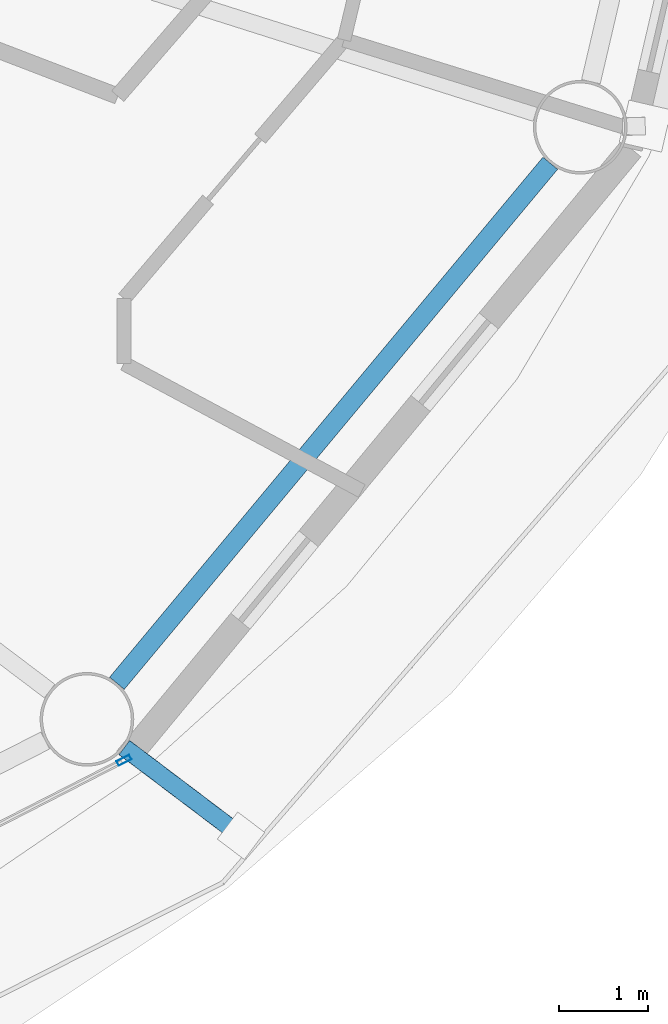
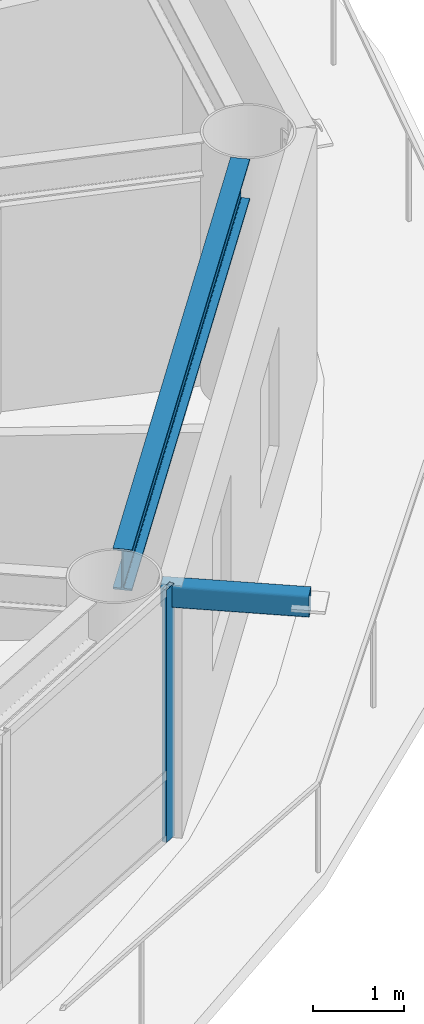
# One storey, part 7 of 27: 2 members, 1 beam, 1 element without a shape of its own.
"""IFC4 building model written with IfcOpenShell, lengths in metres."""

from ifc_helpers import new_model, si_unit, direction, frame, origin, origin_2d, place, context, subcontext, project, spatial, hollow_rectangle, i_section, extrude, material, layer, layer_set, material_profile, profile_set, type_object, element, aggregate, save


model = new_model("IFC4")

# Units and contexts
model_context = context("Model", 3, precision=1e-05, world=origin(), true_north=direction((0.0, 1.0)))
body_context = subcontext(model_context, "Body", "Model", "MODEL_VIEW")
ifc_project = project(units=[si_unit("LENGTHUNIT", "METRE"), si_unit("AREAUNIT", "SQUARE_METRE"), si_unit("VOLUMEUNIT", "CUBIC_METRE"), si_unit("PLANEANGLEUNIT", "RADIAN"), si_unit("MASSUNIT", "GRAM", prefix="KILO")], contexts=[model_context])

# Site, building, storey
site_placement = place(None, origin())
site = spatial("IfcSite", under=ifc_project, at=site_placement, CompositionType="ELEMENT")
building_placement = place(site_placement, origin())
building = spatial("IfcBuilding", under=site, at=building_placement, Name="Sarneth Arch Tower", CompositionType="ELEMENT")
storey_placement = place(building_placement, frame((0.0, 0.0, 157.800048828125)))
storey = spatial("IfcBuildingStorey", under=building, at=storey_placement, Name="L39", CompositionType="ELEMENT", Elevation=157.800048828125)

# Beam
ifc_material_1 = material(Name="Steel S355", Category="steel")
ifc_material_profile_1 = material_profile(ifc_material_1, i_section(OverallWidth=0.214111328125, OverallDepth=0.549072265625, WebThickness=0.0146484375, FlangeThickness=0.023681640625, FilletRadius=0.01806640625, at=origin_2d()), Name="W530x138")
ifc_profile_set_1 = profile_set([ifc_material_profile_1], Name="Steel S355")
beam_type = type_object("IfcBeamType", Name="BM-RAD-530A", PredefinedType="BEAM", material=ifc_profile_set_1)
beam_placement = place(storey_placement, frame((67.469970703125, 27.943115234375, 3.10546875), z_axis=(0.640171737024, 0.768231831621, 0.0), x_axis=(-0.768231831621, 0.640171737024, 0.0)))
element("IfcBeam", 1, at=beam_placement, inside=storey, type_object=beam_type, Name="L39 Perimeter spandrel beam 15", PredefinedType="BEAM", context=body_context, shape_type="SweptSolid", body=[
    extrude(i_section(OverallWidth=0.214111328125, OverallDepth=0.549072265625, WebThickness=0.0146484375, FlangeThickness=0.023681640625, FilletRadius=0.01806640625, at=origin_2d()), origin(), (0.0, 0.0, 1.0), 7.585693359375),
])

# Curtain wall, member
ifc_material_2 = material(Name="Anodised aluminium Type AA25 and solar-control low-e laminated IGU", Category="aluminium")
ifc_layer = layer(ifc_material_2, 0.169921875)
ifc_layer_set = layer_set([ifc_layer], Name="Anodised aluminium Type AA25 and solar-control low-e laminated IGU")
curtain_wall_type = type_object("IfcCurtainWallType", Name="CW-RES-MID", PredefinedType="NOTDEFINED", material=ifc_layer_set)
curtain_wall_placement = place(storey_placement, origin())
curtain_wall = element("IfcCurtainWall", 2, at=curtain_wall_placement, inside=storey, type_object=curtain_wall_type, Name="L39 Unitised curtain wall facet 14", PredefinedType="NOTDEFINED")
ifc_material_3 = material(Name="Anodised Aluminium 6063-T6", Category="aluminium")
ifc_material_profile_2 = material_profile(ifc_material_3, hollow_rectangle(XDim=0.06005859375, YDim=0.159912109375, WallThickness=0.00390625, at=origin_2d()), Name="AL-MULL-160x60x4")
ifc_profile_set_2 = profile_set([ifc_material_profile_2], Name="Anodised Aluminium 6063-T6")
member_type_1 = type_object("IfcMemberType", Name="CW-MULLION", PredefinedType="MULLION", material=ifc_profile_set_2)
member_1_placement = place(storey_placement, frame((67.549560546875, 27.08056640625, 0.0), z_axis=(0.0, 0.0, 1.0), x_axis=(-0.456208470329, 0.88987293003, 0.0)))
member_1 = element("IfcMember", 3, at=member_1_placement, type_object=member_type_1, Name="CW-SYS-5 mullion 4", PredefinedType="MULLION", context=body_context, shape_type="SweptSolid", body=[
    extrude(hollow_rectangle(XDim=0.06005859375, YDim=0.159912109375, WallThickness=0.00390625, at=origin_2d()), origin(), (0.0, 0.0, 1.0), 3.3798828125),
])
aggregate(curtain_wall, [member_1])

# Member
ifc_material_4 = material(Name="Steel S355", Category="steel")
ifc_material_profile_3 = material_profile(ifc_material_4, hollow_rectangle(XDim=0.199951171875, YDim=0.300048828125, WallThickness=0.012451171875, InnerFilletRadius=0.018798828125, OuterFilletRadius=0.03125, at=origin_2d()), Name="RHS300x200x12.5")
ifc_profile_set_3 = profile_set([ifc_material_profile_3], Name="Steel S355")
member_type_2 = type_object("IfcMemberType", Name="MEM-CANT-STRUT", PredefinedType="STRUT", material=ifc_profile_set_3)
member_2_placement = place(storey_placement, frame((67.552734375, 27.22314453125, 3.219970703125), z_axis=(0.797706512891, -0.603045868315, 0.0), x_axis=(0.603045868315, 0.797706512891, 0.0)))
element("IfcMember", 4, at=member_2_placement, inside=storey, type_object=member_type_2, Name="L39 Balcony cantilever bracket 15", PredefinedType="STRUT", context=body_context, shape_type="SweptSolid", body=[
    extrude(hollow_rectangle(XDim=0.199951171875, YDim=0.300048828125, WallThickness=0.012451171875, InnerFilletRadius=0.018798828125, OuterFilletRadius=0.03125, at=origin_2d()), origin(), (0.0, 0.0, 1.0), 1.63916015625),
])

save(model, "model.ifc")
